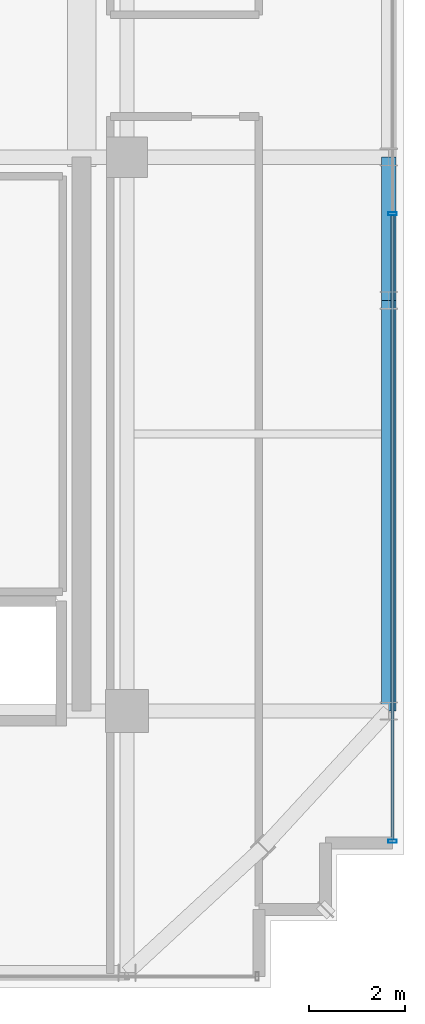
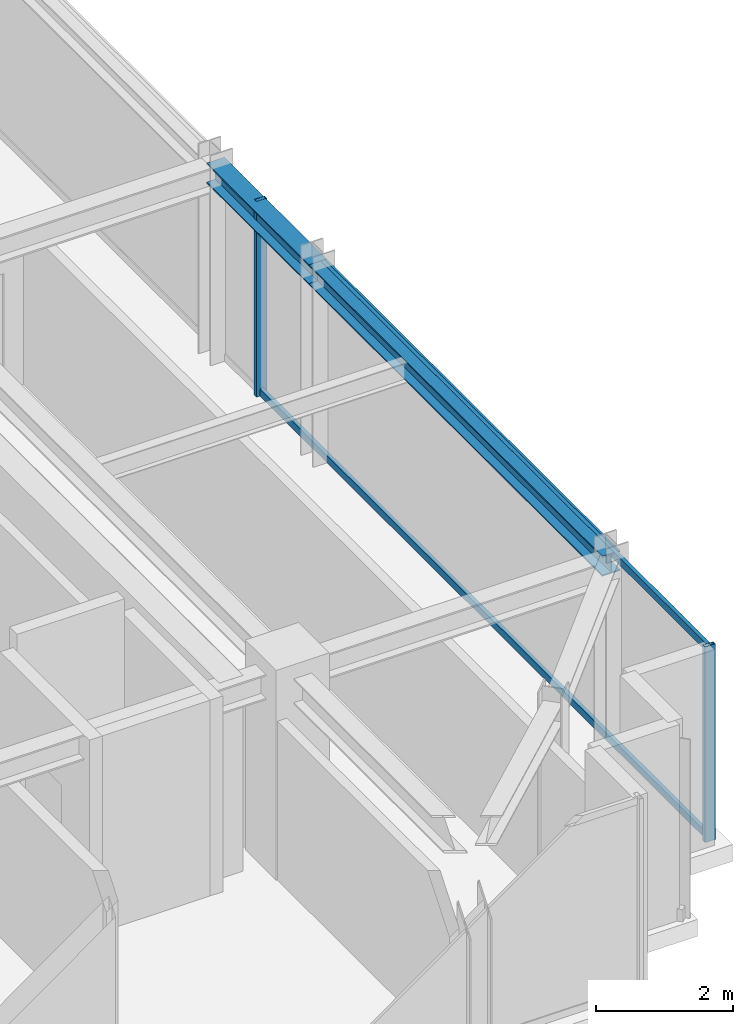
# One storey, part 14 of 36: 4 members, 2 beams, 1 element without a shape of its own.
"""IFC4 building model written with IfcOpenShell, lengths in metres."""

from ifc_helpers import new_model, si_unit, direction, frame, origin, origin_2d, place, context, subcontext, project, spatial, hollow_rectangle, i_section, extrude, source, transform, mapped, material, material_profile, profile_set, type_object, element, aggregate, save


model = new_model("IFC4")

# Units and contexts
model_context = context("Model", 3, precision=1e-05, world=origin(), true_north=direction((0.0, 1.0)))
body_context = subcontext(model_context, "Body", "Model", "MODEL_VIEW")
ifc_project = project(units=[si_unit("LENGTHUNIT", "METRE"), si_unit("AREAUNIT", "SQUARE_METRE"), si_unit("VOLUMEUNIT", "CUBIC_METRE"), si_unit("PLANEANGLEUNIT", "RADIAN"), si_unit("MASSUNIT", "GRAM", prefix="KILO")], contexts=[model_context])

# Site, building, storey
site_placement = place(None, origin())
site = spatial("IfcSite", under=ifc_project, at=site_placement, CompositionType="ELEMENT")
building_placement = place(site_placement, origin())
building = spatial("IfcBuilding", under=site, at=building_placement, Name="Nahalor Promenade Grand Hotel", CompositionType="ELEMENT")
storey_placement = place(building_placement, frame((0.0, 0.0, 319.550048828125)))
storey = spatial("IfcBuildingStorey", under=building, at=storey_placement, Name="L82", CompositionType="ELEMENT", Elevation=319.550048828125)

# Beams
ifc_material_1 = material(Name="Steel S355JR", Category="steel")
ifc_material_profile_1 = material_profile(ifc_material_1, i_section(OverallWidth=0.3, OverallDepth=0.36, WebThickness=0.0125, FlangeThickness=0.0225, at=origin_2d()), Name="HEB 360")
ifc_profile_set_1 = profile_set([ifc_material_profile_1], Name="Steel S355JR")
beam_type = type_object("IfcBeamType", Name="Beam-Spandrel-HEB360", PredefinedType="SPANDREL", material=ifc_profile_set_1)
shared_shape_1 = source(origin(), body_context, "Body", "SweptSolid", [
    extrude(i_section(OverallWidth=0.3, OverallDepth=0.36, WebThickness=0.0125, FlangeThickness=0.0225, at=origin_2d()), origin(), (0.0, 0.0, 1.0), 8.60009765625),
])
beam_1_placement = place(storey_placement, frame((22.47998046875, -17.0, 3.320068359375), z_axis=(0.0, 1.0, 0.0), x_axis=(-1.0, 0.0, 0.0)))
element("IfcBeam", 1, at=beam_1_placement, inside=storey, type_object=beam_type, Name="BM-L82-SP-E-0", PredefinedType="SPANDREL", context=body_context, shape_type="MappedRepresentation", body=[
    mapped(shared_shape_1, transform((0.0, 0.0, 0.0), scale=1.0)),
])
shared_shape_2 = source(origin(), body_context, "Body", "SweptSolid", [
    extrude(i_section(OverallWidth=0.3, OverallDepth=0.36, WebThickness=0.0125, FlangeThickness=0.0225, at=origin_2d()), origin(), (0.0, 0.0, 1.0), 3.0),
])
beam_2_placement = place(storey_placement, frame((22.47998046875, -8.39990234375, 3.320068359375), z_axis=(0.0, 1.0, 0.0), x_axis=(-1.0, 0.0, 0.0)))
element("IfcBeam", 2, at=beam_2_placement, inside=storey, type_object=beam_type, Name="BM-L82-SP-E-1", PredefinedType="SPANDREL", context=body_context, shape_type="MappedRepresentation", body=[
    mapped(shared_shape_2, transform((0.0, 0.0, 0.0), scale=1.0)),
])

# Curtain wall, members
ifc_material_2 = material(Name="Anodised Bronze Aluminium EN AW-6063 T6", Category="aluminium")
curtain_wall_type = type_object("IfcCurtainWallType", Name="CW2 Typical Hotel Flush Bronze Unitised Curtain Wall", PredefinedType="USERDEFINED", material=ifc_material_2)
curtain_wall_placement = place(storey_placement, origin())
curtain_wall = element("IfcCurtainWall", 3, at=curtain_wall_placement, inside=storey, type_object=curtain_wall_type, Name="L82 Curtain Wall CW-L82-E-1", ObjectType="UNITISED_CURTAIN_WALL", PredefinedType="USERDEFINED")
ifc_material_profile_2 = material_profile(ifc_material_2, hollow_rectangle(XDim=0.065, YDim=0.13, WallThickness=0.004, at=origin_2d()), Name="CWT 65x130x4")
ifc_profile_set_2 = profile_set([ifc_material_profile_2], Name="Anodised Bronze Aluminium EN AW-6063 T6")
member_type_1 = type_object("IfcMemberType", Name="CWT2 Typical Bronze Transom 65x130", PredefinedType="USERDEFINED", material=ifc_profile_set_2)
shared_shape_3 = source(origin(), body_context, "Body", "SweptSolid", [
    extrude(hollow_rectangle(XDim=0.065, YDim=0.13, WallThickness=0.004, at=origin_2d()), origin(), (0.0, 0.0, 1.0), 13.075927734375),
])
member_1_placement = place(storey_placement, frame((22.56005859375, -19.695068359375, 0.06494140625), z_axis=(0.0, 1.0, 0.0), x_axis=(-1.0, 0.0, 0.0)))
member_1 = element("IfcMember", 4, at=member_1_placement, type_object=member_type_1, Name="CW-L82-E-1 Transom 0-0", ObjectType="TRANSOM", PredefinedType="USERDEFINED", context=body_context, shape_type="MappedRepresentation", body=[
    mapped(shared_shape_3, transform((0.0, 0.0, 0.0), scale=1.0)),
])
member_2_placement = place(storey_placement, frame((22.56005859375, -19.695068359375, 3.43505859375), z_axis=(0.0, 1.0, 0.0), x_axis=(-1.0, 0.0, 0.0)))
member_2 = element("IfcMember", 5, at=member_2_placement, type_object=member_type_1, Name="CW-L82-E-1 Transom 0-1", ObjectType="TRANSOM", PredefinedType="USERDEFINED", context=body_context, shape_type="MappedRepresentation", body=[
    mapped(shared_shape_3, transform((0.0, 0.0, 0.0), scale=1.0)),
])
ifc_material_profile_3 = material_profile(ifc_material_2, hollow_rectangle(XDim=0.065, YDim=0.18, WallThickness=0.004, at=origin_2d()), Name="CWM 65x180x4")
ifc_profile_set_3 = profile_set([ifc_material_profile_3], Name="Anodised Bronze Aluminium EN AW-6063 T6")
member_type_2 = type_object("IfcMemberType", Name="CWM2 Typical Bronze Mullion 65x180", PredefinedType="MULLION", material=ifc_profile_set_3)
shared_shape_4 = source(origin(), body_context, "Body", "SweptSolid", [
    extrude(hollow_rectangle(XDim=0.065, YDim=0.18, WallThickness=0.004, at=origin_2d()), origin(), (0.0, 0.0, 1.0), 3.5),
])
member_3_placement = place(storey_placement, frame((22.56005859375, -19.7275390625, 0.0), z_axis=(0.0, 0.0, 1.0), x_axis=(0.0, 1.0, 0.0)))
member_3 = element("IfcMember", 6, at=member_3_placement, type_object=member_type_2, Name="CW-L82-E-1 Mullion 0", PredefinedType="MULLION", context=body_context, shape_type="MappedRepresentation", body=[
    mapped(shared_shape_4, transform((0.0, 0.0, 0.0), scale=1.0)),
])
member_4_placement = place(storey_placement, frame((22.56005859375, -6.586669921875, 0.0), z_axis=(0.0, 0.0, 1.0), x_axis=(0.0, 1.0, 0.0)))
member_4 = element("IfcMember", 7, at=member_4_placement, type_object=member_type_2, Name="CW-L82-E-1 Mullion 1", PredefinedType="MULLION", context=body_context, shape_type="MappedRepresentation", body=[
    mapped(shared_shape_4, transform((0.0, 0.0, 0.0), scale=1.0)),
])
aggregate(curtain_wall, [member_3, member_4, member_1, member_2])

save(model, "model.ifc")
